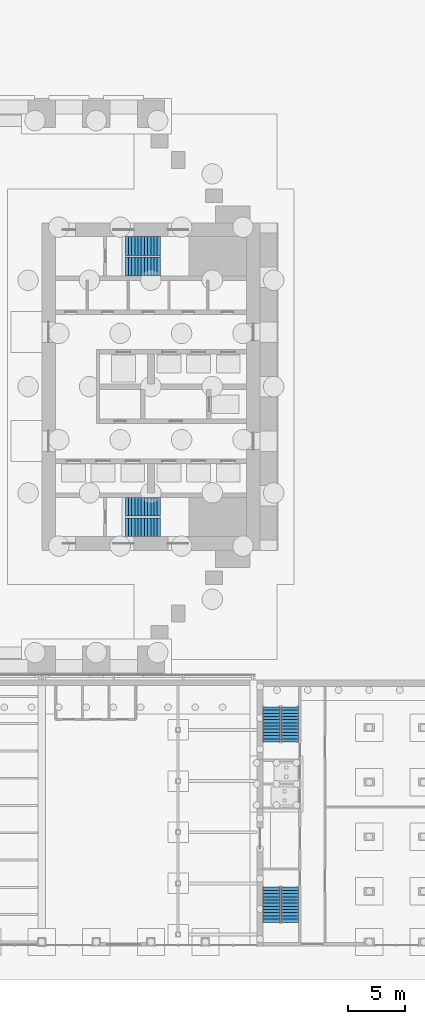
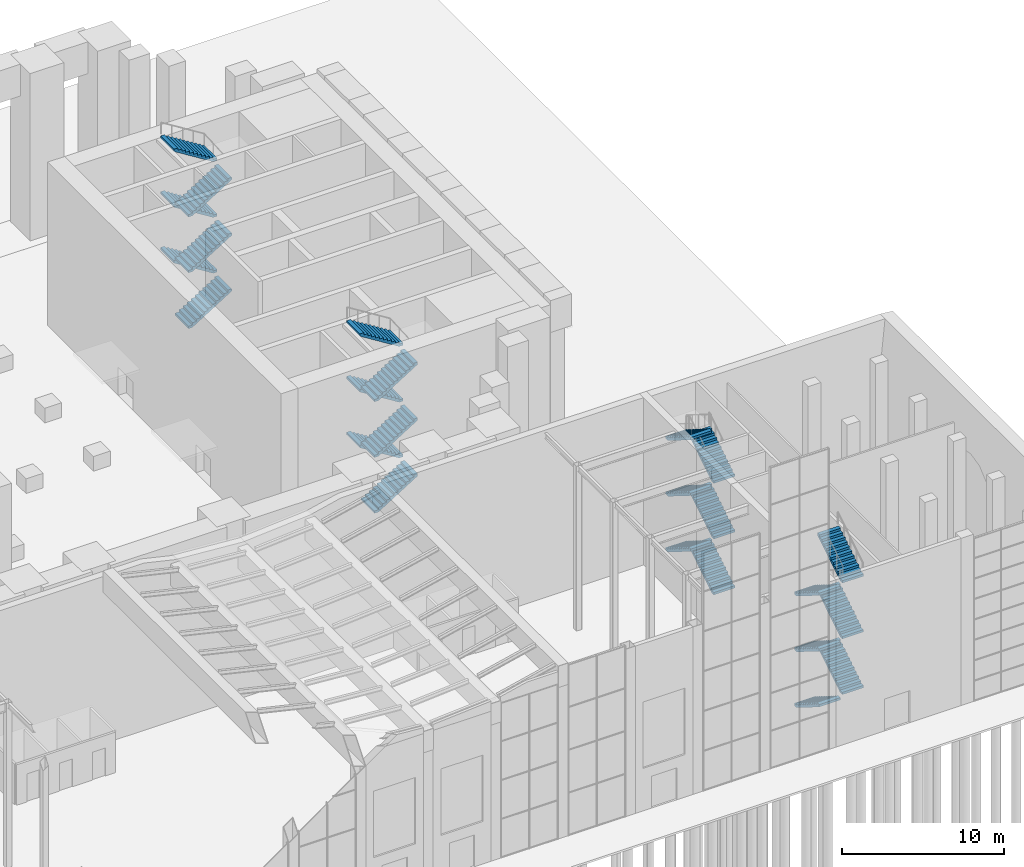
# One storey, part 50 of 58: 24 stair flights, 4 elements without a shape of their own.
"""IFC4 building model written with IfcOpenShell, lengths in metres."""

from ifc_helpers import new_model, si_unit, direction, frame, origin, place, context, subcontext, project, spatial, polyline, outline, extrude, material, type_object, element, aggregate, save


model = new_model("IFC4")

# Units and contexts
model_context = context("Model", 3, precision=1e-05, world=origin(), true_north=direction((0.0, 1.0)))
body_context = subcontext(model_context, "Body", "Model", "MODEL_VIEW")
ifc_project = project(units=[si_unit("LENGTHUNIT", "METRE"), si_unit("AREAUNIT", "SQUARE_METRE"), si_unit("VOLUMEUNIT", "CUBIC_METRE"), si_unit("PLANEANGLEUNIT", "RADIAN"), si_unit("MASSUNIT", "GRAM", prefix="KILO")], contexts=[model_context])

# Site, building, storey
site_placement = place(None, origin())
site = spatial("IfcSite", under=ifc_project, at=site_placement, CompositionType="ELEMENT")
building_placement = place(site_placement, origin())
building = spatial("IfcBuilding", under=site, at=building_placement, Name="Baori Bourse Tower", CompositionType="ELEMENT")
storey_placement = place(building_placement, origin())
storey = spatial("IfcBuildingStorey", under=building, at=storey_placement, Name="L00", CompositionType="ELEMENT", Elevation=0.0)

# Stair, stair flights
ifc_material_1 = material(Name="Concrete f'c 50 MPa", Category="concrete")
stair_type_1 = type_object("IfcStairType", Name="Core stair", PredefinedType="HALF_TURN_STAIR", material=ifc_material_1)
stair_1_placement = place(storey_placement, origin())
stair_1 = element("IfcStair", 1, at=stair_1_placement, inside=storey, type_object=stair_type_1, Name="L00 Stair EA", PredefinedType="HALF_TURN_STAIR")
ifc_material_2 = material(Name="Concrete f'c 50 MPa", Category="concrete")
stair_flight_type_1 = type_object("IfcStairFlightType", Name="Core stair flight", PredefinedType="STRAIGHT", material=ifc_material_2)
stair_flight_1_placement = place(storey_placement, frame((45.75, 11.625, 0.0), z_axis=(0.0, 0.0, 1.0), x_axis=(1.0, 0.0, 0.0)))
stair_flight_1 = element("IfcStairFlight", 2, at=stair_flight_1_placement, type_object=stair_flight_type_1, Name="ST3 flight 1", NumberOfRisers=12, NumberOfTreads=11, PredefinedType="STRAIGHT", RiserHeight=0.175, TreadLength=0.28, context=body_context, shape_type="SweptSolid", body=[
    extrude(outline(polyline([(0.0, 0.0), (0.0, 0.175048828125), (0.280029296875, 0.175048828125), (0.280029296875, 0.35009765625), (0.56005859375, 0.35009765625), (0.56005859375, 0.52490234375), (0.840087890625, 0.52490234375), (0.840087890625, 0.699951171875), (1.1201171875, 0.699951171875), (1.1201171875, 0.875), (1.39990234375, 0.875), (1.39990234375, 1.050048828125), (1.679931640625, 1.050048828125), (1.679931640625, 1.22509765625), (1.9599609375, 1.22509765625), (1.9599609375, 1.39990234375), (2.239990234375, 1.39990234375), (2.239990234375, 1.574951171875), (2.52001953125, 1.574951171875), (2.52001953125, 1.75), (2.800048828125, 1.75), (2.800048828125, 1.925048828125), (3.080078125, 1.925048828125), (3.080078125, 2.10009765625), (3.080078125, 1.748291015625), (0.28271484375, 0.0), (0.0, 0.0)])), frame((0.0, 0.824951171875, 0.0), z_axis=(0.0, -1.0, 0.0), x_axis=(1.0, 0.0, 0.0)), (0.0, 0.0, 1.0), 1.64990234375),
])
stair_flight_2_placement = place(storey_placement, frame((48.830078125, 13.425048828125, 2.10009765625), z_axis=(0.0, 0.0, 1.0), x_axis=(-1.0, 0.0, 0.0)))
stair_flight_2 = element("IfcStairFlight", 3, at=stair_flight_2_placement, type_object=stair_flight_type_1, Name="ST3 flight 2", NumberOfRisers=12, NumberOfTreads=11, PredefinedType="STRAIGHT", RiserHeight=0.175, TreadLength=0.28, context=body_context, shape_type="SweptSolid", body=[
    extrude(outline(polyline([(0.0, 0.0), (0.0, 0.175048828125), (0.280029296875, 0.175048828125), (0.280029296875, 0.35009765625), (0.56005859375, 0.35009765625), (0.56005859375, 0.52490234375), (0.840087890625, 0.52490234375), (0.840087890625, 0.699951171875), (1.1201171875, 0.699951171875), (1.1201171875, 0.875), (1.39990234375, 0.875), (1.39990234375, 1.050048828125), (1.679931640625, 1.050048828125), (1.679931640625, 1.22509765625), (1.9599609375, 1.22509765625), (1.9599609375, 1.39990234375), (2.239990234375, 1.39990234375), (2.239990234375, 1.574951171875), (2.52001953125, 1.574951171875), (2.52001953125, 1.75), (2.800048828125, 1.75), (2.800048828125, 1.925048828125), (3.080078125, 1.925048828125), (3.080078125, 2.10009765625), (3.080078125, 1.748291015625), (0.28271484375, 0.0), (0.0, 0.0)])), frame((0.0, 0.824951171875, 0.0), z_axis=(0.0, -1.0, 0.0), x_axis=(1.0, 0.0, 0.0)), (0.0, 0.0, 1.0), 1.64990234375),
])
stair_flight_3_placement = place(storey_placement, frame((45.75, 11.625, 4.199951171875), z_axis=(0.0, 0.0, 1.0), x_axis=(1.0, 0.0, 0.0)))
stair_flight_3 = element("IfcStairFlight", 4, at=stair_flight_3_placement, type_object=stair_flight_type_1, Name="ST3 flight 3", NumberOfRisers=12, NumberOfTreads=11, PredefinedType="STRAIGHT", RiserHeight=0.175, TreadLength=0.28, context=body_context, shape_type="SweptSolid", body=[
    extrude(outline(polyline([(0.0, 0.0), (0.0, 0.175048828125), (0.280029296875, 0.175048828125), (0.280029296875, 0.35009765625), (0.56005859375, 0.35009765625), (0.56005859375, 0.52490234375), (0.840087890625, 0.52490234375), (0.840087890625, 0.699951171875), (1.1201171875, 0.699951171875), (1.1201171875, 0.875), (1.39990234375, 0.875), (1.39990234375, 1.050048828125), (1.679931640625, 1.050048828125), (1.679931640625, 1.22509765625), (1.9599609375, 1.22509765625), (1.9599609375, 1.39990234375), (2.239990234375, 1.39990234375), (2.239990234375, 1.574951171875), (2.52001953125, 1.574951171875), (2.52001953125, 1.75), (2.800048828125, 1.75), (2.800048828125, 1.925048828125), (3.080078125, 1.925048828125), (3.080078125, 2.10009765625), (3.080078125, 1.748291015625), (0.28271484375, 0.0), (0.0, 0.0)])), frame((0.0, 0.824951171875, 0.0), z_axis=(0.0, -1.0, 0.0), x_axis=(1.0, 0.0, 0.0)), (0.0, 0.0, 1.0), 1.64990234375),
])
stair_flight_4_placement = place(storey_placement, frame((48.830078125, 13.425048828125, 6.300048828125), z_axis=(0.0, 0.0, 1.0), x_axis=(-1.0, 0.0, 0.0)))
stair_flight_4 = element("IfcStairFlight", 5, at=stair_flight_4_placement, type_object=stair_flight_type_1, Name="ST3 flight 4", NumberOfRisers=12, NumberOfTreads=11, PredefinedType="STRAIGHT", RiserHeight=0.175, TreadLength=0.28, context=body_context, shape_type="SweptSolid", body=[
    extrude(outline(polyline([(0.0, 0.0), (0.0, 0.175048828125), (0.280029296875, 0.175048828125), (0.280029296875, 0.35009765625), (0.56005859375, 0.35009765625), (0.56005859375, 0.52490234375), (0.840087890625, 0.52490234375), (0.840087890625, 0.699951171875), (1.1201171875, 0.699951171875), (1.1201171875, 0.875), (1.39990234375, 0.875), (1.39990234375, 1.050048828125), (1.679931640625, 1.050048828125), (1.679931640625, 1.22509765625), (1.9599609375, 1.22509765625), (1.9599609375, 1.39990234375), (2.239990234375, 1.39990234375), (2.239990234375, 1.574951171875), (2.52001953125, 1.574951171875), (2.52001953125, 1.75), (2.800048828125, 1.75), (2.800048828125, 1.925048828125), (3.080078125, 1.925048828125), (3.080078125, 2.10009765625), (3.080078125, 1.748291015625), (0.28271484375, 0.0), (0.0, 0.0)])), frame((0.0, 0.824951171875, 0.0), z_axis=(0.0, -1.0, 0.0), x_axis=(1.0, 0.0, 0.0)), (0.0, 0.0, 1.0), 1.64990234375),
])
stair_flight_5_placement = place(storey_placement, frame((45.75, 11.625, 8.39990234375), z_axis=(0.0, 0.0, 1.0), x_axis=(1.0, 0.0, 0.0)))
stair_flight_5 = element("IfcStairFlight", 6, at=stair_flight_5_placement, type_object=stair_flight_type_1, Name="ST3 flight 5", NumberOfRisers=12, NumberOfTreads=11, PredefinedType="STRAIGHT", RiserHeight=0.175, TreadLength=0.28, context=body_context, shape_type="SweptSolid", body=[
    extrude(outline(polyline([(0.0, 0.0), (0.0, 0.175048828125), (0.280029296875, 0.175048828125), (0.280029296875, 0.35009765625), (0.56005859375, 0.35009765625), (0.56005859375, 0.52490234375), (0.840087890625, 0.52490234375), (0.840087890625, 0.699951171875), (1.1201171875, 0.699951171875), (1.1201171875, 0.875), (1.39990234375, 0.875), (1.39990234375, 1.050048828125), (1.679931640625, 1.050048828125), (1.679931640625, 1.22509765625), (1.9599609375, 1.22509765625), (1.9599609375, 1.39990234375), (2.239990234375, 1.39990234375), (2.239990234375, 1.574951171875), (2.52001953125, 1.574951171875), (2.52001953125, 1.75), (2.800048828125, 1.75), (2.800048828125, 1.925048828125), (3.080078125, 1.925048828125), (3.080078125, 2.10009765625), (3.080078125, 1.748291015625), (0.28271484375, 0.0), (0.0, 0.0)])), frame((0.0, 0.824951171875, 0.0), z_axis=(0.0, -1.0, 0.0), x_axis=(1.0, 0.0, 0.0)), (0.0, 0.0, 1.0), 1.64990234375),
])
stair_flight_6_placement = place(storey_placement, frame((48.830078125, 13.425048828125, 10.5), z_axis=(0.0, 0.0, 1.0), x_axis=(-1.0, 0.0, 0.0)))
stair_flight_6 = element("IfcStairFlight", 7, at=stair_flight_6_placement, type_object=stair_flight_type_1, Name="ST3 flight 6", NumberOfRisers=12, NumberOfTreads=11, PredefinedType="STRAIGHT", RiserHeight=0.175, TreadLength=0.28, context=body_context, shape_type="SweptSolid", body=[
    extrude(outline(polyline([(0.0, 0.0), (0.0, 0.175048828125), (0.280029296875, 0.175048828125), (0.280029296875, 0.35009765625), (0.56005859375, 0.35009765625), (0.56005859375, 0.52490234375), (0.840087890625, 0.52490234375), (0.840087890625, 0.699951171875), (1.1201171875, 0.699951171875), (1.1201171875, 0.875), (1.39990234375, 0.875), (1.39990234375, 1.050048828125), (1.679931640625, 1.050048828125), (1.679931640625, 1.22509765625), (1.9599609375, 1.22509765625), (1.9599609375, 1.39990234375), (2.239990234375, 1.39990234375), (2.239990234375, 1.574951171875), (2.52001953125, 1.574951171875), (2.52001953125, 1.75), (2.800048828125, 1.75), (2.800048828125, 1.925048828125), (3.080078125, 1.925048828125), (3.080078125, 2.10009765625), (3.080078125, 1.748291015625), (0.28271484375, 0.0), (0.0, 0.0)])), frame((0.0, 0.824951171875, 0.0), z_axis=(0.0, -1.0, 0.0), x_axis=(1.0, 0.0, 0.0)), (0.0, 0.0, 1.0), 1.64990234375),
])
aggregate(stair_1, [stair_flight_1, stair_flight_2, stair_flight_3, stair_flight_4, stair_flight_5, stair_flight_6])

stair_2_placement = place(storey_placement, origin())
stair_2 = element("IfcStair", 8, at=stair_2_placement, inside=storey, type_object=stair_type_1, Name="L00 Stair EB", PredefinedType="HALF_TURN_STAIR")
stair_flight_7_placement = place(storey_placement, frame((45.75, 34.574951171875, 0.0), z_axis=(0.0, 0.0, 1.0), x_axis=(1.0, 0.0, 0.0)))
stair_flight_7 = element("IfcStairFlight", 9, at=stair_flight_7_placement, type_object=stair_flight_type_1, Name="ST4 flight 1", NumberOfRisers=12, NumberOfTreads=11, PredefinedType="STRAIGHT", RiserHeight=0.175, TreadLength=0.28, context=body_context, shape_type="SweptSolid", body=[
    extrude(outline(polyline([(0.0, 0.0), (0.0, 0.175048828125), (0.280029296875, 0.175048828125), (0.280029296875, 0.35009765625), (0.56005859375, 0.35009765625), (0.56005859375, 0.52490234375), (0.840087890625, 0.52490234375), (0.840087890625, 0.699951171875), (1.1201171875, 0.699951171875), (1.1201171875, 0.875), (1.39990234375, 0.875), (1.39990234375, 1.050048828125), (1.679931640625, 1.050048828125), (1.679931640625, 1.22509765625), (1.9599609375, 1.22509765625), (1.9599609375, 1.39990234375), (2.239990234375, 1.39990234375), (2.239990234375, 1.574951171875), (2.52001953125, 1.574951171875), (2.52001953125, 1.75), (2.800048828125, 1.75), (2.800048828125, 1.925048828125), (3.080078125, 1.925048828125), (3.080078125, 2.10009765625), (3.080078125, 1.748291015625), (0.28271484375, 0.0), (0.0, 0.0)])), frame((0.0, 0.824951171875, 0.0), z_axis=(0.0, -1.0, 0.0), x_axis=(1.0, 0.0, 0.0)), (0.0, 0.0, 1.0), 1.64990234375),
])
stair_flight_8_placement = place(storey_placement, frame((48.830078125, 36.375, 2.10009765625), z_axis=(0.0, 0.0, 1.0), x_axis=(-1.0, 0.0, 0.0)))
stair_flight_8 = element("IfcStairFlight", 10, at=stair_flight_8_placement, type_object=stair_flight_type_1, Name="ST4 flight 2", NumberOfRisers=12, NumberOfTreads=11, PredefinedType="STRAIGHT", RiserHeight=0.175, TreadLength=0.28, context=body_context, shape_type="SweptSolid", body=[
    extrude(outline(polyline([(0.0, 0.0), (0.0, 0.175048828125), (0.280029296875, 0.175048828125), (0.280029296875, 0.35009765625), (0.56005859375, 0.35009765625), (0.56005859375, 0.52490234375), (0.840087890625, 0.52490234375), (0.840087890625, 0.699951171875), (1.1201171875, 0.699951171875), (1.1201171875, 0.875), (1.39990234375, 0.875), (1.39990234375, 1.050048828125), (1.679931640625, 1.050048828125), (1.679931640625, 1.22509765625), (1.9599609375, 1.22509765625), (1.9599609375, 1.39990234375), (2.239990234375, 1.39990234375), (2.239990234375, 1.574951171875), (2.52001953125, 1.574951171875), (2.52001953125, 1.75), (2.800048828125, 1.75), (2.800048828125, 1.925048828125), (3.080078125, 1.925048828125), (3.080078125, 2.10009765625), (3.080078125, 1.748291015625), (0.28271484375, 0.0), (0.0, 0.0)])), frame((0.0, 0.824951171875, 0.0), z_axis=(0.0, -1.0, 0.0), x_axis=(1.0, 0.0, 0.0)), (0.0, 0.0, 1.0), 1.64990234375),
])
stair_flight_9_placement = place(storey_placement, frame((45.75, 34.574951171875, 4.199951171875), z_axis=(0.0, 0.0, 1.0), x_axis=(1.0, 0.0, 0.0)))
stair_flight_9 = element("IfcStairFlight", 11, at=stair_flight_9_placement, type_object=stair_flight_type_1, Name="ST4 flight 3", NumberOfRisers=12, NumberOfTreads=11, PredefinedType="STRAIGHT", RiserHeight=0.175, TreadLength=0.28, context=body_context, shape_type="SweptSolid", body=[
    extrude(outline(polyline([(0.0, 0.0), (0.0, 0.175048828125), (0.280029296875, 0.175048828125), (0.280029296875, 0.35009765625), (0.56005859375, 0.35009765625), (0.56005859375, 0.52490234375), (0.840087890625, 0.52490234375), (0.840087890625, 0.699951171875), (1.1201171875, 0.699951171875), (1.1201171875, 0.875), (1.39990234375, 0.875), (1.39990234375, 1.050048828125), (1.679931640625, 1.050048828125), (1.679931640625, 1.22509765625), (1.9599609375, 1.22509765625), (1.9599609375, 1.39990234375), (2.239990234375, 1.39990234375), (2.239990234375, 1.574951171875), (2.52001953125, 1.574951171875), (2.52001953125, 1.75), (2.800048828125, 1.75), (2.800048828125, 1.925048828125), (3.080078125, 1.925048828125), (3.080078125, 2.10009765625), (3.080078125, 1.748291015625), (0.28271484375, 0.0), (0.0, 0.0)])), frame((0.0, 0.824951171875, 0.0), z_axis=(0.0, -1.0, 0.0), x_axis=(1.0, 0.0, 0.0)), (0.0, 0.0, 1.0), 1.64990234375),
])
stair_flight_10_placement = place(storey_placement, frame((48.830078125, 36.375, 6.300048828125), z_axis=(0.0, 0.0, 1.0), x_axis=(-1.0, 0.0, 0.0)))
stair_flight_10 = element("IfcStairFlight", 12, at=stair_flight_10_placement, type_object=stair_flight_type_1, Name="ST4 flight 4", NumberOfRisers=12, NumberOfTreads=11, PredefinedType="STRAIGHT", RiserHeight=0.175, TreadLength=0.28, context=body_context, shape_type="SweptSolid", body=[
    extrude(outline(polyline([(0.0, 0.0), (0.0, 0.175048828125), (0.280029296875, 0.175048828125), (0.280029296875, 0.35009765625), (0.56005859375, 0.35009765625), (0.56005859375, 0.52490234375), (0.840087890625, 0.52490234375), (0.840087890625, 0.699951171875), (1.1201171875, 0.699951171875), (1.1201171875, 0.875), (1.39990234375, 0.875), (1.39990234375, 1.050048828125), (1.679931640625, 1.050048828125), (1.679931640625, 1.22509765625), (1.9599609375, 1.22509765625), (1.9599609375, 1.39990234375), (2.239990234375, 1.39990234375), (2.239990234375, 1.574951171875), (2.52001953125, 1.574951171875), (2.52001953125, 1.75), (2.800048828125, 1.75), (2.800048828125, 1.925048828125), (3.080078125, 1.925048828125), (3.080078125, 2.10009765625), (3.080078125, 1.748291015625), (0.28271484375, 0.0), (0.0, 0.0)])), frame((0.0, 0.824951171875, 0.0), z_axis=(0.0, -1.0, 0.0), x_axis=(1.0, 0.0, 0.0)), (0.0, 0.0, 1.0), 1.64990234375),
])
stair_flight_11_placement = place(storey_placement, frame((45.75, 34.574951171875, 8.39990234375), z_axis=(0.0, 0.0, 1.0), x_axis=(1.0, 0.0, 0.0)))
stair_flight_11 = element("IfcStairFlight", 13, at=stair_flight_11_placement, type_object=stair_flight_type_1, Name="ST4 flight 5", NumberOfRisers=12, NumberOfTreads=11, PredefinedType="STRAIGHT", RiserHeight=0.175, TreadLength=0.28, context=body_context, shape_type="SweptSolid", body=[
    extrude(outline(polyline([(0.0, 0.0), (0.0, 0.175048828125), (0.280029296875, 0.175048828125), (0.280029296875, 0.35009765625), (0.56005859375, 0.35009765625), (0.56005859375, 0.52490234375), (0.840087890625, 0.52490234375), (0.840087890625, 0.699951171875), (1.1201171875, 0.699951171875), (1.1201171875, 0.875), (1.39990234375, 0.875), (1.39990234375, 1.050048828125), (1.679931640625, 1.050048828125), (1.679931640625, 1.22509765625), (1.9599609375, 1.22509765625), (1.9599609375, 1.39990234375), (2.239990234375, 1.39990234375), (2.239990234375, 1.574951171875), (2.52001953125, 1.574951171875), (2.52001953125, 1.75), (2.800048828125, 1.75), (2.800048828125, 1.925048828125), (3.080078125, 1.925048828125), (3.080078125, 2.10009765625), (3.080078125, 1.748291015625), (0.28271484375, 0.0), (0.0, 0.0)])), frame((0.0, 0.824951171875, 0.0), z_axis=(0.0, -1.0, 0.0), x_axis=(1.0, 0.0, 0.0)), (0.0, 0.0, 1.0), 1.64990234375),
])
stair_flight_12_placement = place(storey_placement, frame((48.830078125, 36.375, 10.5), z_axis=(0.0, 0.0, 1.0), x_axis=(-1.0, 0.0, 0.0)))
stair_flight_12 = element("IfcStairFlight", 14, at=stair_flight_12_placement, type_object=stair_flight_type_1, Name="ST4 flight 6", NumberOfRisers=12, NumberOfTreads=11, PredefinedType="STRAIGHT", RiserHeight=0.175, TreadLength=0.28, context=body_context, shape_type="SweptSolid", body=[
    extrude(outline(polyline([(0.0, 0.0), (0.0, 0.175048828125), (0.280029296875, 0.175048828125), (0.280029296875, 0.35009765625), (0.56005859375, 0.35009765625), (0.56005859375, 0.52490234375), (0.840087890625, 0.52490234375), (0.840087890625, 0.699951171875), (1.1201171875, 0.699951171875), (1.1201171875, 0.875), (1.39990234375, 0.875), (1.39990234375, 1.050048828125), (1.679931640625, 1.050048828125), (1.679931640625, 1.22509765625), (1.9599609375, 1.22509765625), (1.9599609375, 1.39990234375), (2.239990234375, 1.39990234375), (2.239990234375, 1.574951171875), (2.52001953125, 1.574951171875), (2.52001953125, 1.75), (2.800048828125, 1.75), (2.800048828125, 1.925048828125), (3.080078125, 1.925048828125), (3.080078125, 2.10009765625), (3.080078125, 1.748291015625), (0.28271484375, 0.0), (0.0, 0.0)])), frame((0.0, 0.824951171875, 0.0), z_axis=(0.0, -1.0, 0.0), x_axis=(1.0, 0.0, 0.0)), (0.0, 0.0, 1.0), 1.64990234375),
])
aggregate(stair_2, [stair_flight_7, stair_flight_8, stair_flight_9, stair_flight_10, stair_flight_11, stair_flight_12])

ifc_material_3 = material(Name="Concrete f'c 40 MPa", Category="concrete")
stair_type_2 = type_object("IfcStairType", Name="Wing exit stair 1500", PredefinedType="HALF_TURN_STAIR", material=ifc_material_3)
stair_3_placement = place(storey_placement, origin())
stair_3 = element("IfcStair", 15, at=stair_3_placement, inside=storey, type_object=stair_type_2, Name="L00 Exit stair EA", PredefinedType="HALF_TURN_STAIR")
ifc_material_4 = material(Name="Concrete f'c 40 MPa", Category="concrete")
stair_flight_type_2 = type_object("IfcStairFlightType", Name="Wing stair flight 1500", PredefinedType="STRAIGHT", material=ifc_material_4)
stair_flight_13_placement = place(storey_placement, frame((60.25, -7.260009765625, 0.0), z_axis=(0.0, 0.0, 1.0), x_axis=(0.0, 1.0, 0.0)))
stair_flight_13 = element("IfcStairFlight", 16, at=stair_flight_13_placement, type_object=stair_flight_type_2, Name="E-STA flight 1", NumberOfRisers=12, NumberOfTreads=11, PredefinedType="STRAIGHT", RiserHeight=0.175, TreadLength=0.28, context=body_context, shape_type="SweptSolid", body=[
    extrude(outline(polyline([(0.0, 0.0), (0.0, 0.175048828125), (0.280029296875, 0.175048828125), (0.280029296875, 0.35009765625), (0.56005859375, 0.35009765625), (0.56005859375, 0.52490234375), (0.840087890625, 0.52490234375), (0.840087890625, 0.699951171875), (1.1201171875, 0.699951171875), (1.1201171875, 0.875), (1.39990234375, 0.875), (1.39990234375, 1.050048828125), (1.679931640625, 1.050048828125), (1.679931640625, 1.22509765625), (1.9599609375, 1.22509765625), (1.9599609375, 1.39990234375), (2.239990234375, 1.39990234375), (2.239990234375, 1.574951171875), (2.52001953125, 1.574951171875), (2.52001953125, 1.75), (2.800048828125, 1.75), (2.800048828125, 1.925048828125), (3.080078125, 1.925048828125), (3.080078125, 2.10009765625), (3.080078125, 1.748291015625), (0.28271484375, 0.0), (0.0, 0.0)])), frame((0.0, 0.75, 0.0), z_axis=(0.0, -1.0, 0.0), x_axis=(1.0, 0.0, 0.0)), (0.0, 0.0, 1.0), 1.5),
])
stair_flight_14_placement = place(storey_placement, frame((58.60009765625, -4.179931640625, 2.10009765625), z_axis=(0.0, 0.0, 1.0), x_axis=(0.0, -1.0, 0.0)))
stair_flight_14 = element("IfcStairFlight", 17, at=stair_flight_14_placement, type_object=stair_flight_type_2, Name="E-STA flight 2", NumberOfRisers=12, NumberOfTreads=11, PredefinedType="STRAIGHT", RiserHeight=0.175, TreadLength=0.28, context=body_context, shape_type="SweptSolid", body=[
    extrude(outline(polyline([(0.0, 0.0), (0.0, 0.175048828125), (0.280029296875, 0.175048828125), (0.280029296875, 0.35009765625), (0.56005859375, 0.35009765625), (0.56005859375, 0.52490234375), (0.840087890625, 0.52490234375), (0.840087890625, 0.699951171875), (1.1201171875, 0.699951171875), (1.1201171875, 0.875), (1.39990234375, 0.875), (1.39990234375, 1.050048828125), (1.679931640625, 1.050048828125), (1.679931640625, 1.22509765625), (1.9599609375, 1.22509765625), (1.9599609375, 1.39990234375), (2.239990234375, 1.39990234375), (2.239990234375, 1.574951171875), (2.52001953125, 1.574951171875), (2.52001953125, 1.75), (2.800048828125, 1.75), (2.800048828125, 1.925048828125), (3.080078125, 1.925048828125), (3.080078125, 2.10009765625), (3.080078125, 1.748291015625), (0.28271484375, 0.0), (0.0, 0.0)])), frame((0.0, 0.75, 0.0), z_axis=(0.0, -1.0, 0.0), x_axis=(1.0, 0.0, 0.0)), (0.0, 0.0, 1.0), 1.5),
])
stair_flight_15_placement = place(storey_placement, frame((60.25, -7.260009765625, 4.199951171875), z_axis=(0.0, 0.0, 1.0), x_axis=(0.0, 1.0, 0.0)))
stair_flight_15 = element("IfcStairFlight", 18, at=stair_flight_15_placement, type_object=stair_flight_type_2, Name="E-STA flight 3", NumberOfRisers=12, NumberOfTreads=11, PredefinedType="STRAIGHT", RiserHeight=0.175, TreadLength=0.28, context=body_context, shape_type="SweptSolid", body=[
    extrude(outline(polyline([(0.0, 0.0), (0.0, 0.175048828125), (0.280029296875, 0.175048828125), (0.280029296875, 0.35009765625), (0.56005859375, 0.35009765625), (0.56005859375, 0.52490234375), (0.840087890625, 0.52490234375), (0.840087890625, 0.699951171875), (1.1201171875, 0.699951171875), (1.1201171875, 0.875), (1.39990234375, 0.875), (1.39990234375, 1.050048828125), (1.679931640625, 1.050048828125), (1.679931640625, 1.22509765625), (1.9599609375, 1.22509765625), (1.9599609375, 1.39990234375), (2.239990234375, 1.39990234375), (2.239990234375, 1.574951171875), (2.52001953125, 1.574951171875), (2.52001953125, 1.75), (2.800048828125, 1.75), (2.800048828125, 1.925048828125), (3.080078125, 1.925048828125), (3.080078125, 2.10009765625), (3.080078125, 1.748291015625), (0.28271484375, 0.0), (0.0, 0.0)])), frame((0.0, 0.75, 0.0), z_axis=(0.0, -1.0, 0.0), x_axis=(1.0, 0.0, 0.0)), (0.0, 0.0, 1.0), 1.5),
])
stair_flight_16_placement = place(storey_placement, frame((58.60009765625, -4.179931640625, 6.300048828125), z_axis=(0.0, 0.0, 1.0), x_axis=(0.0, -1.0, 0.0)))
stair_flight_16 = element("IfcStairFlight", 19, at=stair_flight_16_placement, type_object=stair_flight_type_2, Name="E-STA flight 4", NumberOfRisers=12, NumberOfTreads=11, PredefinedType="STRAIGHT", RiserHeight=0.175, TreadLength=0.28, context=body_context, shape_type="SweptSolid", body=[
    extrude(outline(polyline([(0.0, 0.0), (0.0, 0.175048828125), (0.280029296875, 0.175048828125), (0.280029296875, 0.35009765625), (0.56005859375, 0.35009765625), (0.56005859375, 0.52490234375), (0.840087890625, 0.52490234375), (0.840087890625, 0.699951171875), (1.1201171875, 0.699951171875), (1.1201171875, 0.875), (1.39990234375, 0.875), (1.39990234375, 1.050048828125), (1.679931640625, 1.050048828125), (1.679931640625, 1.22509765625), (1.9599609375, 1.22509765625), (1.9599609375, 1.39990234375), (2.239990234375, 1.39990234375), (2.239990234375, 1.574951171875), (2.52001953125, 1.574951171875), (2.52001953125, 1.75), (2.800048828125, 1.75), (2.800048828125, 1.925048828125), (3.080078125, 1.925048828125), (3.080078125, 2.10009765625), (3.080078125, 1.748291015625), (0.28271484375, 0.0), (0.0, 0.0)])), frame((0.0, 0.75, 0.0), z_axis=(0.0, -1.0, 0.0), x_axis=(1.0, 0.0, 0.0)), (0.0, 0.0, 1.0), 1.5),
])
stair_flight_17_placement = place(storey_placement, frame((60.25, -7.260009765625, 8.39990234375), z_axis=(0.0, 0.0, 1.0), x_axis=(0.0, 1.0, 0.0)))
stair_flight_17 = element("IfcStairFlight", 20, at=stair_flight_17_placement, type_object=stair_flight_type_2, Name="E-STA flight 5", NumberOfRisers=12, NumberOfTreads=11, PredefinedType="STRAIGHT", RiserHeight=0.175, TreadLength=0.28, context=body_context, shape_type="SweptSolid", body=[
    extrude(outline(polyline([(0.0, 0.0), (0.0, 0.175048828125), (0.280029296875, 0.175048828125), (0.280029296875, 0.35009765625), (0.56005859375, 0.35009765625), (0.56005859375, 0.52490234375), (0.840087890625, 0.52490234375), (0.840087890625, 0.699951171875), (1.1201171875, 0.699951171875), (1.1201171875, 0.875), (1.39990234375, 0.875), (1.39990234375, 1.050048828125), (1.679931640625, 1.050048828125), (1.679931640625, 1.22509765625), (1.9599609375, 1.22509765625), (1.9599609375, 1.39990234375), (2.239990234375, 1.39990234375), (2.239990234375, 1.574951171875), (2.52001953125, 1.574951171875), (2.52001953125, 1.75), (2.800048828125, 1.75), (2.800048828125, 1.925048828125), (3.080078125, 1.925048828125), (3.080078125, 2.10009765625), (3.080078125, 1.748291015625), (0.28271484375, 0.0), (0.0, 0.0)])), frame((0.0, 0.75, 0.0), z_axis=(0.0, -1.0, 0.0), x_axis=(1.0, 0.0, 0.0)), (0.0, 0.0, 1.0), 1.5),
])
stair_flight_18_placement = place(storey_placement, frame((58.60009765625, -4.179931640625, 10.5), z_axis=(0.0, 0.0, 1.0), x_axis=(0.0, -1.0, 0.0)))
stair_flight_18 = element("IfcStairFlight", 21, at=stair_flight_18_placement, type_object=stair_flight_type_2, Name="E-STA flight 6", NumberOfRisers=12, NumberOfTreads=11, PredefinedType="STRAIGHT", RiserHeight=0.175, TreadLength=0.28, context=body_context, shape_type="SweptSolid", body=[
    extrude(outline(polyline([(0.0, 0.0), (0.0, 0.175048828125), (0.280029296875, 0.175048828125), (0.280029296875, 0.35009765625), (0.56005859375, 0.35009765625), (0.56005859375, 0.52490234375), (0.840087890625, 0.52490234375), (0.840087890625, 0.699951171875), (1.1201171875, 0.699951171875), (1.1201171875, 0.875), (1.39990234375, 0.875), (1.39990234375, 1.050048828125), (1.679931640625, 1.050048828125), (1.679931640625, 1.22509765625), (1.9599609375, 1.22509765625), (1.9599609375, 1.39990234375), (2.239990234375, 1.39990234375), (2.239990234375, 1.574951171875), (2.52001953125, 1.574951171875), (2.52001953125, 1.75), (2.800048828125, 1.75), (2.800048828125, 1.925048828125), (3.080078125, 1.925048828125), (3.080078125, 2.10009765625), (3.080078125, 1.748291015625), (0.28271484375, 0.0), (0.0, 0.0)])), frame((0.0, 0.75, 0.0), z_axis=(0.0, -1.0, 0.0), x_axis=(1.0, 0.0, 0.0)), (0.0, 0.0, 1.0), 1.5),
])
aggregate(stair_3, [stair_flight_13, stair_flight_14, stair_flight_15, stair_flight_16, stair_flight_17, stair_flight_18])

stair_4_placement = place(storey_placement, origin())
stair_4 = element("IfcStair", 22, at=stair_4_placement, inside=storey, type_object=stair_type_2, Name="L00 Exit stair EB", PredefinedType="HALF_TURN_STAIR")
stair_flight_19_placement = place(storey_placement, frame((58.60009765625, -20.0400390625, 0.0), z_axis=(0.0, 0.0, 1.0), x_axis=(0.0, -1.0, 0.0)))
stair_flight_19 = element("IfcStairFlight", 23, at=stair_flight_19_placement, type_object=stair_flight_type_2, Name="E-STB flight 1", NumberOfRisers=12, NumberOfTreads=11, PredefinedType="STRAIGHT", RiserHeight=0.175, TreadLength=0.28, context=body_context, shape_type="SweptSolid", body=[
    extrude(outline(polyline([(0.0, 0.0), (0.0, 0.175048828125), (0.280029296875, 0.175048828125), (0.280029296875, 0.35009765625), (0.56005859375, 0.35009765625), (0.56005859375, 0.52490234375), (0.840087890625, 0.52490234375), (0.840087890625, 0.699951171875), (1.1201171875, 0.699951171875), (1.1201171875, 0.875), (1.39990234375, 0.875), (1.39990234375, 1.050048828125), (1.679931640625, 1.050048828125), (1.679931640625, 1.22509765625), (1.9599609375, 1.22509765625), (1.9599609375, 1.39990234375), (2.239990234375, 1.39990234375), (2.239990234375, 1.574951171875), (2.52001953125, 1.574951171875), (2.52001953125, 1.75), (2.800048828125, 1.75), (2.800048828125, 1.925048828125), (3.080078125, 1.925048828125), (3.080078125, 2.10009765625), (3.080078125, 1.748291015625), (0.28271484375, 0.0), (0.0, 0.0)])), frame((0.0, 0.75, 0.0), z_axis=(0.0, -1.0, 0.0), x_axis=(1.0, 0.0, 0.0)), (0.0, 0.0, 1.0), 1.5),
])
stair_flight_20_placement = place(storey_placement, frame((60.25, -23.1201171875, 2.10009765625), z_axis=(0.0, 0.0, 1.0), x_axis=(0.0, 1.0, 0.0)))
stair_flight_20 = element("IfcStairFlight", 24, at=stair_flight_20_placement, type_object=stair_flight_type_2, Name="E-STB flight 2", NumberOfRisers=12, NumberOfTreads=11, PredefinedType="STRAIGHT", RiserHeight=0.175, TreadLength=0.28, context=body_context, shape_type="SweptSolid", body=[
    extrude(outline(polyline([(0.0, 0.0), (0.0, 0.175048828125), (0.280029296875, 0.175048828125), (0.280029296875, 0.35009765625), (0.56005859375, 0.35009765625), (0.56005859375, 0.52490234375), (0.840087890625, 0.52490234375), (0.840087890625, 0.699951171875), (1.1201171875, 0.699951171875), (1.1201171875, 0.875), (1.39990234375, 0.875), (1.39990234375, 1.050048828125), (1.679931640625, 1.050048828125), (1.679931640625, 1.22509765625), (1.9599609375, 1.22509765625), (1.9599609375, 1.39990234375), (2.239990234375, 1.39990234375), (2.239990234375, 1.574951171875), (2.52001953125, 1.574951171875), (2.52001953125, 1.75), (2.800048828125, 1.75), (2.800048828125, 1.925048828125), (3.080078125, 1.925048828125), (3.080078125, 2.10009765625), (3.080078125, 1.748291015625), (0.28271484375, 0.0), (0.0, 0.0)])), frame((0.0, 0.75, 0.0), z_axis=(0.0, -1.0, 0.0), x_axis=(1.0, 0.0, 0.0)), (0.0, 0.0, 1.0), 1.5),
])
stair_flight_21_placement = place(storey_placement, frame((58.60009765625, -20.0400390625, 4.199951171875), z_axis=(0.0, 0.0, 1.0), x_axis=(0.0, -1.0, 0.0)))
stair_flight_21 = element("IfcStairFlight", 25, at=stair_flight_21_placement, type_object=stair_flight_type_2, Name="E-STB flight 3", NumberOfRisers=12, NumberOfTreads=11, PredefinedType="STRAIGHT", RiserHeight=0.175, TreadLength=0.28, context=body_context, shape_type="SweptSolid", body=[
    extrude(outline(polyline([(0.0, 0.0), (0.0, 0.175048828125), (0.280029296875, 0.175048828125), (0.280029296875, 0.35009765625), (0.56005859375, 0.35009765625), (0.56005859375, 0.52490234375), (0.840087890625, 0.52490234375), (0.840087890625, 0.699951171875), (1.1201171875, 0.699951171875), (1.1201171875, 0.875), (1.39990234375, 0.875), (1.39990234375, 1.050048828125), (1.679931640625, 1.050048828125), (1.679931640625, 1.22509765625), (1.9599609375, 1.22509765625), (1.9599609375, 1.39990234375), (2.239990234375, 1.39990234375), (2.239990234375, 1.574951171875), (2.52001953125, 1.574951171875), (2.52001953125, 1.75), (2.800048828125, 1.75), (2.800048828125, 1.925048828125), (3.080078125, 1.925048828125), (3.080078125, 2.10009765625), (3.080078125, 1.748291015625), (0.28271484375, 0.0), (0.0, 0.0)])), frame((0.0, 0.75, 0.0), z_axis=(0.0, -1.0, 0.0), x_axis=(1.0, 0.0, 0.0)), (0.0, 0.0, 1.0), 1.5),
])
stair_flight_22_placement = place(storey_placement, frame((60.25, -23.1201171875, 6.300048828125), z_axis=(0.0, 0.0, 1.0), x_axis=(0.0, 1.0, 0.0)))
stair_flight_22 = element("IfcStairFlight", 26, at=stair_flight_22_placement, type_object=stair_flight_type_2, Name="E-STB flight 4", NumberOfRisers=12, NumberOfTreads=11, PredefinedType="STRAIGHT", RiserHeight=0.175, TreadLength=0.28, context=body_context, shape_type="SweptSolid", body=[
    extrude(outline(polyline([(0.0, 0.0), (0.0, 0.175048828125), (0.280029296875, 0.175048828125), (0.280029296875, 0.35009765625), (0.56005859375, 0.35009765625), (0.56005859375, 0.52490234375), (0.840087890625, 0.52490234375), (0.840087890625, 0.699951171875), (1.1201171875, 0.699951171875), (1.1201171875, 0.875), (1.39990234375, 0.875), (1.39990234375, 1.050048828125), (1.679931640625, 1.050048828125), (1.679931640625, 1.22509765625), (1.9599609375, 1.22509765625), (1.9599609375, 1.39990234375), (2.239990234375, 1.39990234375), (2.239990234375, 1.574951171875), (2.52001953125, 1.574951171875), (2.52001953125, 1.75), (2.800048828125, 1.75), (2.800048828125, 1.925048828125), (3.080078125, 1.925048828125), (3.080078125, 2.10009765625), (3.080078125, 1.748291015625), (0.28271484375, 0.0), (0.0, 0.0)])), frame((0.0, 0.75, 0.0), z_axis=(0.0, -1.0, 0.0), x_axis=(1.0, 0.0, 0.0)), (0.0, 0.0, 1.0), 1.5),
])
stair_flight_23_placement = place(storey_placement, frame((58.60009765625, -20.0400390625, 8.39990234375), z_axis=(0.0, 0.0, 1.0), x_axis=(0.0, -1.0, 0.0)))
stair_flight_23 = element("IfcStairFlight", 27, at=stair_flight_23_placement, type_object=stair_flight_type_2, Name="E-STB flight 5", NumberOfRisers=12, NumberOfTreads=11, PredefinedType="STRAIGHT", RiserHeight=0.175, TreadLength=0.28, context=body_context, shape_type="SweptSolid", body=[
    extrude(outline(polyline([(0.0, 0.0), (0.0, 0.175048828125), (0.280029296875, 0.175048828125), (0.280029296875, 0.35009765625), (0.56005859375, 0.35009765625), (0.56005859375, 0.52490234375), (0.840087890625, 0.52490234375), (0.840087890625, 0.699951171875), (1.1201171875, 0.699951171875), (1.1201171875, 0.875), (1.39990234375, 0.875), (1.39990234375, 1.050048828125), (1.679931640625, 1.050048828125), (1.679931640625, 1.22509765625), (1.9599609375, 1.22509765625), (1.9599609375, 1.39990234375), (2.239990234375, 1.39990234375), (2.239990234375, 1.574951171875), (2.52001953125, 1.574951171875), (2.52001953125, 1.75), (2.800048828125, 1.75), (2.800048828125, 1.925048828125), (3.080078125, 1.925048828125), (3.080078125, 2.10009765625), (3.080078125, 1.748291015625), (0.28271484375, 0.0), (0.0, 0.0)])), frame((0.0, 0.75, 0.0), z_axis=(0.0, -1.0, 0.0), x_axis=(1.0, 0.0, 0.0)), (0.0, 0.0, 1.0), 1.5),
])
stair_flight_24_placement = place(storey_placement, frame((60.25, -23.1201171875, 10.5), z_axis=(0.0, 0.0, 1.0), x_axis=(0.0, 1.0, 0.0)))
stair_flight_24 = element("IfcStairFlight", 28, at=stair_flight_24_placement, type_object=stair_flight_type_2, Name="E-STB flight 6", NumberOfRisers=12, NumberOfTreads=11, PredefinedType="STRAIGHT", RiserHeight=0.175, TreadLength=0.28, context=body_context, shape_type="SweptSolid", body=[
    extrude(outline(polyline([(0.0, 0.0), (0.0, 0.175048828125), (0.280029296875, 0.175048828125), (0.280029296875, 0.35009765625), (0.56005859375, 0.35009765625), (0.56005859375, 0.52490234375), (0.840087890625, 0.52490234375), (0.840087890625, 0.699951171875), (1.1201171875, 0.699951171875), (1.1201171875, 0.875), (1.39990234375, 0.875), (1.39990234375, 1.050048828125), (1.679931640625, 1.050048828125), (1.679931640625, 1.22509765625), (1.9599609375, 1.22509765625), (1.9599609375, 1.39990234375), (2.239990234375, 1.39990234375), (2.239990234375, 1.574951171875), (2.52001953125, 1.574951171875), (2.52001953125, 1.75), (2.800048828125, 1.75), (2.800048828125, 1.925048828125), (3.080078125, 1.925048828125), (3.080078125, 2.10009765625), (3.080078125, 1.748291015625), (0.28271484375, 0.0), (0.0, 0.0)])), frame((0.0, 0.75, 0.0), z_axis=(0.0, -1.0, 0.0), x_axis=(1.0, 0.0, 0.0)), (0.0, 0.0, 1.0), 1.5),
])
aggregate(stair_4, [stair_flight_19, stair_flight_20, stair_flight_21, stair_flight_22, stair_flight_23, stair_flight_24])

save(model, "model.ifc")
